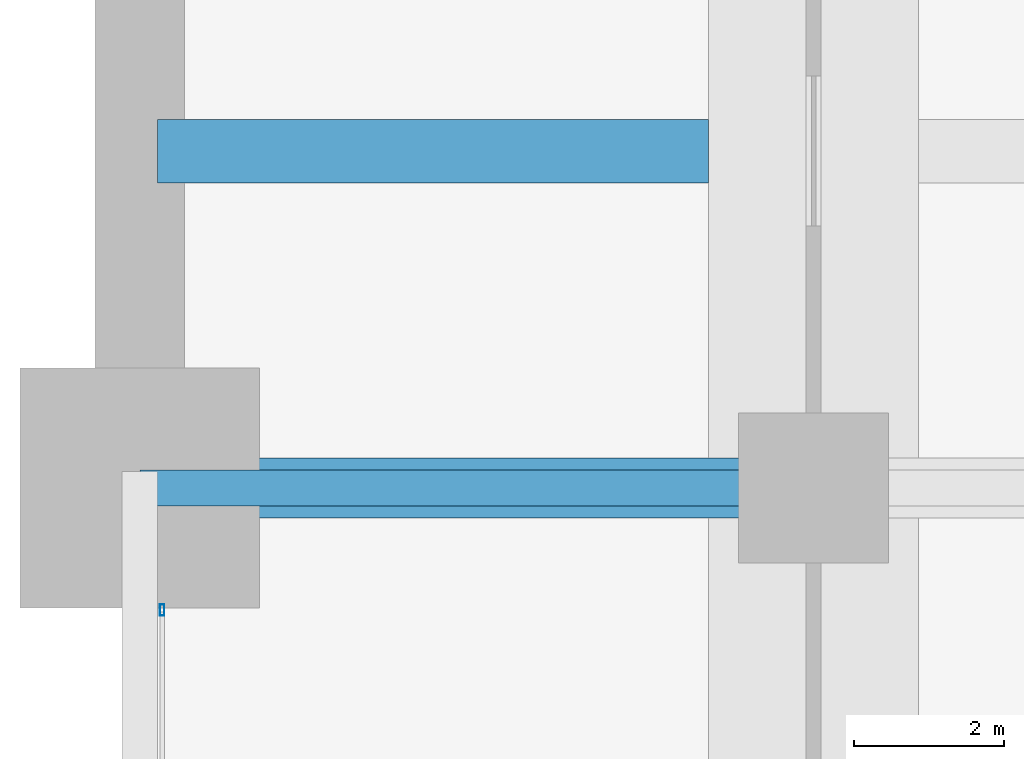
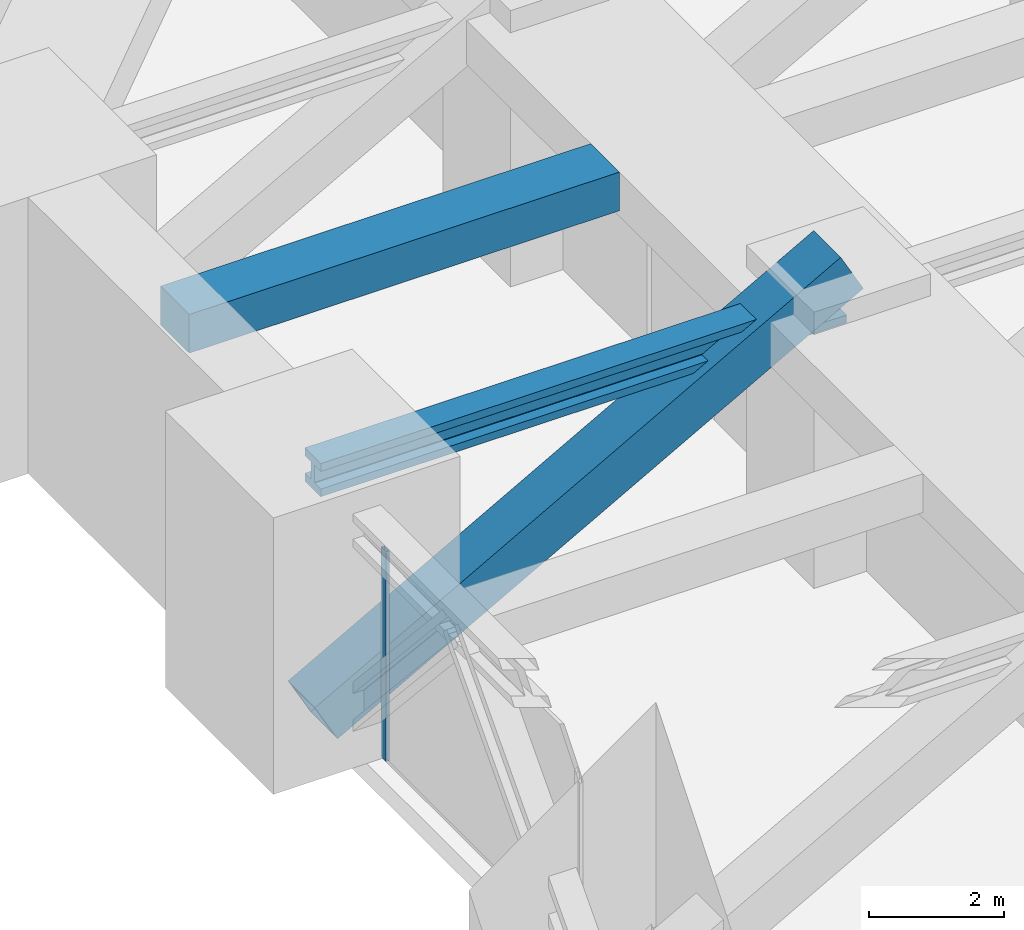
# One storey, part 11 of 38: 2 beams, 2 members, 1 element without a shape of its own.
"""IFC4 building model written with IfcOpenShell, lengths in metres."""

from ifc_helpers import new_model, si_unit, direction, frame, origin, origin_2d, place, context, subcontext, project, spatial, rectangle, hollow_rectangle, i_section, extrude, material, material_profile, profile_set, type_object, element, aggregate, save


model = new_model("IFC4")

# Units and contexts
model_context = context("Model", 3, precision=1e-05, world=origin(), true_north=direction((0.0, 1.0)))
body_context = subcontext(model_context, "Body", "Model", "MODEL_VIEW")
ifc_project = project(units=[si_unit("LENGTHUNIT", "METRE"), si_unit("AREAUNIT", "SQUARE_METRE"), si_unit("VOLUMEUNIT", "CUBIC_METRE"), si_unit("PLANEANGLEUNIT", "RADIAN"), si_unit("MASSUNIT", "GRAM", prefix="KILO")], contexts=[model_context])

# Site, building, storey
site_placement = place(None, origin())
site = spatial("IfcSite", under=ifc_project, at=site_placement, CompositionType="ELEMENT")
building_placement = place(site_placement, origin())
building = spatial("IfcBuilding", under=site, at=building_placement, Name="Zorevar Civic Tower", CompositionType="ELEMENT")
storey_placement = place(building_placement, frame((0.0, 0.0, 157.199951171875)))
storey = spatial("IfcBuildingStorey", under=building, at=storey_placement, Name="L38", CompositionType="ELEMENT", Elevation=157.199951171875)

# Beam
ifc_material_1 = material(Name="Concrete C50/60", Category="concrete")
ifc_material_profile_1 = material_profile(ifc_material_1, rectangle(XDim=0.85009765625, YDim=0.699951171875, at=origin_2d()), Name="RC 850x700")
ifc_profile_set_1 = profile_set([ifc_material_profile_1], Name="Concrete C50/60")
beam_type_1 = type_object("IfcBeamType", Name="Beam RC 850x700", PredefinedType="BEAM", material=ifc_profile_set_1)
beam_1_placement = place(storey_placement, frame((0.238037109375, 31.5, 4.25), z_axis=(1.0, 0.0, 0.0), x_axis=(0.0, 1.0, 0.0)))
element("IfcBeam", 1, at=beam_1_placement, inside=storey, type_object=beam_type_1, Name="Secondary beam L39", PredefinedType="BEAM", context=body_context, shape_type="SweptSolid", body=[
    extrude(rectangle(XDim=0.85009765625, YDim=0.699951171875, at=origin_2d()), origin(), (0.0, 0.0, 1.0), 7.362060546875),
])

# Curtain wall, member
ifc_material_2 = material(Name="Black aluminium louvres", Category="aluminium")
curtain_wall_type = type_object("IfcCurtainWallType", Name="Louvred curtain wall CW6 refuge", PredefinedType="NOTDEFINED", material=ifc_material_2)
curtain_wall_placement = place(storey_placement, origin())
curtain_wall = element("IfcCurtainWall", 2, at=curtain_wall_placement, inside=storey, type_object=curtain_wall_type, Name="CW6 L38", PredefinedType="NOTDEFINED")
ifc_material_3 = material(Name="Aluminium, black anodised", Category="aluminium")
ifc_material_profile_2 = material_profile(ifc_material_3, hollow_rectangle(XDim=0.06005859375, YDim=0.14990234375, WallThickness=0.00390625, at=origin_2d()), Name="AL 150x60x4")
ifc_profile_set_2 = profile_set([ifc_material_profile_2], Name="Aluminium, black anodised")
member_type_1 = type_object("IfcMemberType", Name="CW6 mullion AL 150x60x4", PredefinedType="MULLION", material=ifc_profile_set_2)
member_1_placement = place(storey_placement, frame((0.300048828125, 25.3701171875, 0.0), z_axis=(0.0, 0.0, 1.0), x_axis=(-1.0, 0.0, 0.0)))
member_1 = element("IfcMember", 3, at=member_1_placement, type_object=member_type_1, Name="CW6 mullion 2", PredefinedType="MULLION", context=body_context, shape_type="SweptSolid", body=[
    extrude(hollow_rectangle(XDim=0.06005859375, YDim=0.14990234375, WallThickness=0.00390625, at=origin_2d()), origin(), (0.0, 0.0, 1.0), 3.800048828125),
])
aggregate(curtain_wall, [member_1])

# Beam
ifc_material_4 = material(Name="Steel S460M (HISTAR 460)", Category="steel")
ifc_material_profile_3 = material_profile(ifc_material_4, i_section(OverallWidth=0.47607421875, OverallDepth=0.60009765625, WebThickness=0.10009765625, FlangeThickness=0.139892578125, FilletRadius=0.014892578125, at=origin_2d()), Name="HD 400x1299")
ifc_profile_set_3 = profile_set([ifc_material_profile_3], Name="Steel S460M (HISTAR 460)")
beam_type_2 = type_object("IfcBeamType", Name="Outrigger chord HD 400x1299", PredefinedType="BEAM", material=ifc_profile_set_3)
beam_2_placement = place(storey_placement, frame((0.0, 27.0, 4.300048828125), z_axis=(1.0, 0.0, 0.0), x_axis=(0.0, 1.0, 0.0)))
element("IfcBeam", 4, at=beam_2_placement, inside=storey, type_object=beam_type_2, Name="Outrigger chord L39", PredefinedType="BEAM", context=body_context, shape_type="SweptSolid", body=[
    extrude(i_section(OverallWidth=0.47607421875, OverallDepth=0.60009765625, WebThickness=0.10009765625, FlangeThickness=0.139892578125, FilletRadius=0.014892578125, at=origin_2d()), origin(), (0.0, 0.0, 1.0), 9.0),
])

# Member
ifc_material_5 = material(Name="Steel S460M (HISTAR 460)", Category="steel")
ifc_material_profile_4 = material_profile(ifc_material_5, hollow_rectangle(XDim=0.800048828125, YDim=0.800048828125, WallThickness=0.06005859375, at=origin_2d()), Name="BOX 800x800x60")
ifc_profile_set_4 = profile_set([ifc_material_profile_4], Name="Steel S460M (HISTAR 460)")
member_type_2 = type_object("IfcMemberType", Name="Outrigger diagonal BOX 800x800x60", PredefinedType="BRACE", material=ifc_profile_set_4)
member_2_placement = place(storey_placement, frame((9.0, 27.0, 5.0), z_axis=(-0.874157276122, 0.0, -0.485642931179), x_axis=(0.0, -1.0, 0.0)))
element("IfcMember", 5, at=member_2_placement, inside=storey, type_object=member_type_2, Name="Outrigger diagonal W L38", PredefinedType="BRACE", context=body_context, shape_type="SweptSolid", body=[
    extrude(hollow_rectangle(XDim=0.800048828125, YDim=0.800048828125, WallThickness=0.06005859375, at=origin_2d()), origin(), (0.0, 0.0, 1.0), 10.295654296875),
])

save(model, "model.ifc")
